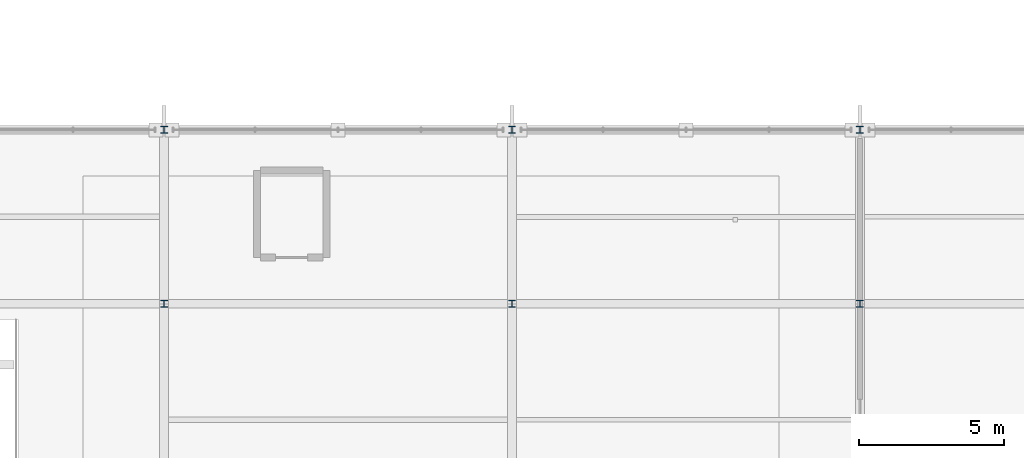
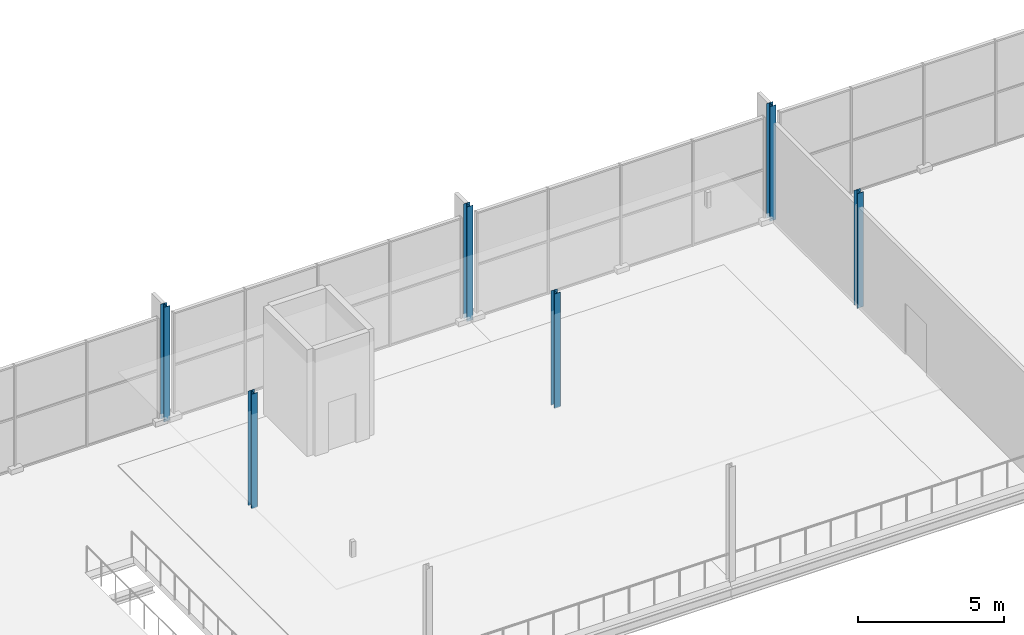
# One storey, part 9 of 159: 6 columns.
"""IFC4 building model written with IfcOpenShell, lengths in metres."""

from ifc_helpers import new_model, si_unit, direction, frame, origin, origin_2d, place, context, subcontext, project, spatial, i_section, extrude, material, material_profile, profile_set, type_object, element, save


model = new_model("IFC4")

# Units and contexts
model_context = context("Model", 3, precision=1e-05, world=origin(), true_north=direction((0.0, 1.0)))
body_context = subcontext(model_context, "Body", "Model", "MODEL_VIEW")
ifc_project = project(units=[si_unit("LENGTHUNIT", "METRE"), si_unit("AREAUNIT", "SQUARE_METRE"), si_unit("VOLUMEUNIT", "CUBIC_METRE"), si_unit("PLANEANGLEUNIT", "RADIAN"), si_unit("MASSUNIT", "GRAM", prefix="KILO")], contexts=[model_context])

# Site, building, storey
site_placement = place(None, origin())
site = spatial("IfcSite", under=ifc_project, at=site_placement, CompositionType="ELEMENT")
building_placement = place(site_placement, origin())
building = spatial("IfcBuilding", under=site, at=building_placement, Name="Merenkruunu Market Hall", CompositionType="ELEMENT")
storey_placement = place(building_placement, frame((0.0, 0.0, 5.39990234375)))
storey = spatial("IfcBuildingStorey", under=building, at=storey_placement, Name="L01", CompositionType="ELEMENT", Elevation=5.39990234375)

# Columns
ifc_material = material(Name="Steel S355J2", Category="steel")
ifc_material_profile = material_profile(ifc_material, i_section(OverallWidth=0.239990234375, OverallDepth=0.22998046875, WebThickness=0.007568359375, FlangeThickness=0.011962890625, FilletRadius=0.02099609375, at=origin_2d()), Name="HEA 240")
ifc_profile_set = profile_set([ifc_material_profile], Name="Steel S355J2")
column_type = type_object("IfcColumnType", Name="Structural Column C10", PredefinedType="COLUMN", material=ifc_profile_set)
for number, where, z_axis, x_axis, name in (
    (1, (100.800048828125, 39.60009765625, 0.0), (0.0, 0.0, 1.0), (1.0, 0.0, 0.0), "COL-L01-L-05"),
    (2, (100.800048828125, 45.60009765625, 0.0), (0.0, 0.0, 1.0), (1.0, 0.0, 0.0), "COL-L01-L-06"),
    (3, (112.800048828125, 39.60009765625, 0.0), (0.0, 0.0, 1.0), (1.0, 0.0, 0.0), "COL-L01-M-05"),
    (4, (112.800048828125, 45.60009765625, 0.0), (0.0, 0.0, 1.0), (1.0, 0.0, 0.0), "COL-L01-M-06"),
    (5, (124.800048828125, 39.60009765625, 0.0), (0.0, 0.0, 1.0), (1.0, 0.0, 0.0), "COL-L01-N-05"),
    (6, (124.800048828125, 45.60009765625, 0.0), (0.0, 0.0, 1.0), (1.0, 0.0, 0.0), "COL-L01-N-06"),
):
    element("IfcColumn", number, at=place(storey_placement, frame(where, z_axis=z_axis, x_axis=x_axis)), inside=storey, type_object=column_type, Name=name, PredefinedType="COLUMN", context=body_context, shape_type="SweptSolid", body=[
        extrude(i_section(OverallWidth=0.239990234375, OverallDepth=0.22998046875, WebThickness=0.007568359375, FlangeThickness=0.011962890625, FilletRadius=0.02099609375, at=origin_2d()), origin(), (0.0, 0.0, 1.0), 4.800048828125),
    ])

save(model, "model.ifc")
